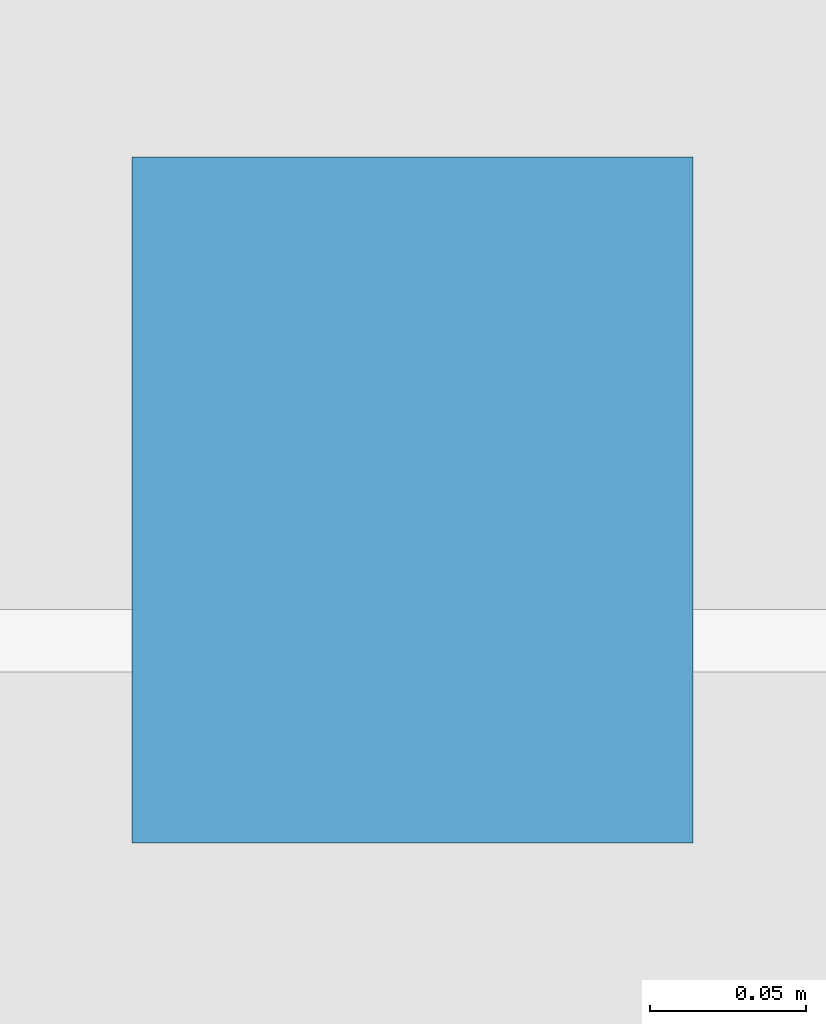
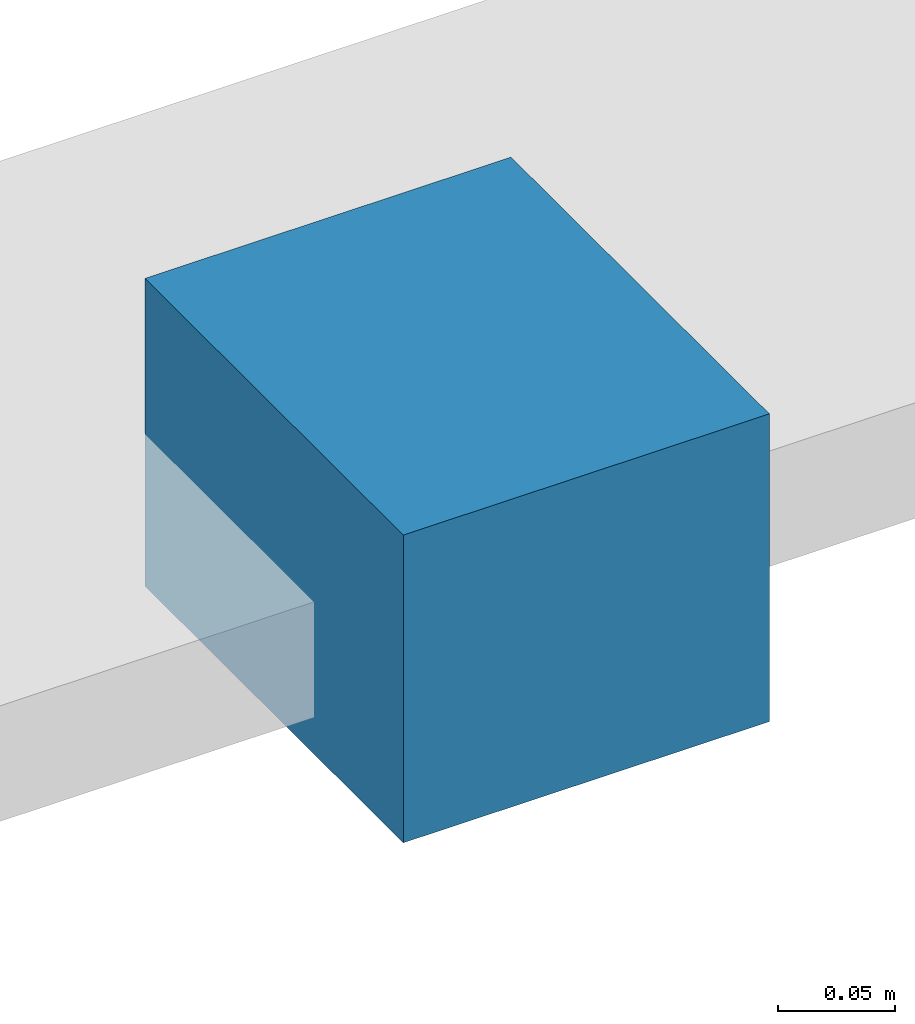
# One storey, part 142 of 157: 1 discrete accessory.
"""IFC4 building model written with IfcOpenShell, lengths in metres."""

import ifcopenshell
import ifcopenshell.guid

model = None  # the IFC model being written
_history = None  # IfcOwnerHistory: only IFC2X3 demands one
_inside = {}  # id of a spatial element -> (the spatial element, [elements in it])
_under = {}  # id of a project, library or spatial element -> (it, [spatial elements below it])
_declared = {}  # id of a project -> (the project, [libraries it declares])
_typed = {}  # id of a type object -> (the type object, [elements of that type])
_made_of = {}  # id of a material, layer set ... -> (it, [elements and type objects made of it])


def new_model(schema):
    """Start an empty IFC model of exactly this schema.

    Asked for "IFC4X3", IfcOpenShell would pick the latest addendum, in which some entities
    have other attributes; the version numbers below select the first issue.
    IFC2X3 requires an IfcOwnerHistory on every rooted entity: one is made here for all.
    """
    global model, _history
    if schema == "IFC4X3":
        model = ifcopenshell.file(schema_version=(4, 3, 0, 0))
    else:
        model = ifcopenshell.file(schema=schema)
    _inside.clear()
    _under.clear()
    _declared.clear()
    _typed.clear()
    _made_of.clear()
    _history = None
    if model.schema == "IFC2X3":
        org = make("IfcOrganization", Name="unknown")
        user = make(
            "IfcPersonAndOrganization",
            ThePerson=make("IfcPerson", FamilyName="unknown"),
            TheOrganization=org,
        )
        app = make(
            "IfcApplication",
            ApplicationDeveloper=org,
            Version="unknown",
            ApplicationFullName="unknown",
            ApplicationIdentifier="unknown",
        )
        _history = make(
            "IfcOwnerHistory",
            OwningUser=user,
            OwningApplication=app,
            ChangeAction="ADDED",
            CreationDate=0,
        )
    return model


def make(cls, **values):
    """One entity of the class cls with the attributes given. An attribute that is None is left unset."""
    return model.create_entity(
        cls, **{name: value for name, value in values.items() if value is not None}
    )


def rooted(cls, **values):
    """An entity with a GlobalId (a new one), such as an element, a storey or a relation."""
    return make(cls, GlobalId=ifcopenshell.guid.new(), OwnerHistory=_history, **values)


def si_unit(unit_type, name, prefix=None):
    """IfcSIUnit, for example si_unit("LENGTHUNIT", "METRE", prefix="MILLI")."""
    return make("IfcSIUnit", UnitType=unit_type, Prefix=prefix, Name=name)


def assignment(units):
    """IfcUnitAssignment: the units of a project."""
    return None if units is None else make("IfcUnitAssignment", Units=units)


def point(xyz):
    """IfcCartesianPoint."""
    return None if xyz is None else make("IfcCartesianPoint", Coordinates=xyz)


def direction(xyz):
    """IfcDirection."""
    return None if xyz is None else make("IfcDirection", DirectionRatios=xyz)


def frame(location, z_axis=None, x_axis=None):
    """IfcAxis2Placement3D, a coordinate frame: its origin and axes. An axis left out is left unset."""
    return make(
        "IfcAxis2Placement3D",
        Location=point(location),
        Axis=direction(z_axis),
        RefDirection=direction(x_axis),
    )


def frame_2d(location, x_axis=None):
    """IfcAxis2Placement2D, a coordinate frame in the plane: its origin and x axis."""
    return make(
        "IfcAxis2Placement2D", Location=point(location), RefDirection=direction(x_axis)
    )


def origin():
    """The frame at (0, 0, 0) with its axes left unset."""
    return frame((0.0, 0.0, 0.0))


def origin_2d():
    """The frame at (0, 0) in the plane with its x axis left unset."""
    return frame_2d((0.0, 0.0))


def place(relative_to, where):
    """IfcLocalPlacement: puts the frame where relative to a parent placement (None: the world)."""
    return make(
        "IfcLocalPlacement", PlacementRelTo=relative_to, RelativePlacement=where
    )


def context(
    kind, dimensions, precision=None, world=None, true_north=None, identifier=None
):
    """IfcGeometricRepresentationContext, for example the 3D "Model" context."""
    return make(
        "IfcGeometricRepresentationContext",
        ContextIdentifier=identifier,
        ContextType=kind,
        CoordinateSpaceDimension=dimensions,
        Precision=precision,
        WorldCoordinateSystem=world,
        TrueNorth=true_north,
    )


def subcontext(parent, identifier, kind, view, scale=None):
    """IfcGeometricRepresentationSubContext, for example "Body" below "Model"."""
    return make(
        "IfcGeometricRepresentationSubContext",
        ContextIdentifier=identifier,
        ContextType=kind,
        ParentContext=parent,
        TargetScale=scale,
        TargetView=view,
    )


def project(units=None, contexts=None):
    """IfcProject with its units and contexts."""
    return rooted(
        "IfcProject",
        Name="project",
        RepresentationContexts=contexts,
        UnitsInContext=assignment(units),
    )


def spatial(cls, under=None, at=None, **own):
    """A site, building, storey or space (cls), placed at a placement, below another one or the project."""
    s = rooted(cls, ObjectPlacement=at, **own)
    if under is not None:
        _under.setdefault(under.id(), (under, []))[1].append(s)
    return s


def profile(cls, at=None, kind="AREA", **sizes):
    """A parametric profile (cls). Its sizes go by their IFC names, for example OverallWidth=200.0."""
    return make(cls, ProfileType=kind, Position=at, **sizes)


def rectangle(**sizes):
    """IfcRectangleProfileDef."""
    return profile("IfcRectangleProfileDef", **sizes)


def extrude(swept, where, along, depth):
    """IfcExtrudedAreaSolid: the profile swept, set in the frame where, extruded along a direction by depth."""
    return make(
        "IfcExtrudedAreaSolid",
        SweptArea=swept,
        Position=where,
        ExtrudedDirection=direction(along),
        Depth=depth,
    )


def shape(context_of_items, identifier, shape_type, items):
    """IfcShapeRepresentation: the items that make up one representation, for example the "Body"."""
    return make(
        "IfcShapeRepresentation",
        ContextOfItems=context_of_items,
        RepresentationIdentifier=identifier,
        RepresentationType=shape_type,
        Items=items,
    )


def material(Name=None, Category=None):
    """IfcMaterial."""
    return make("IfcMaterial", Name=Name, Category=Category)


def made_of(thing, what):
    """Note that an element or type object is made of a material, layer set ...; save() writes the relation."""
    if what is not None:
        _made_of.setdefault(what.id(), (what, []))[1].append(thing)
    return thing


def type_object(cls, material=None, **own):
    """A type object (cls), such as IfcWallType, which elements share."""
    return made_of(rooted(cls, **own), material)


def element(
    cls,
    number,
    at=None,
    inside=None,
    cuts=None,
    type_object=None,
    material=None,
    context=None,
    identifier="Body",
    shape_type=None,
    held_by="IfcProductDefinitionShape",
    body=None,
    shapes=None,
    **own,
):
    """One element of the class cls, such as IfcWall. Its Tag is "e" and its number.

    at: its placement. inside: the storey or other place that contains it. cuts: it is an
    opening in that element (IfcRelVoidsElement). A single representation is given by context,
    identifier, shape_type and body (its items); several are given by shapes. held_by: the class
    of the entity that holds the representations. save() writes the other relations.
    """
    e = rooted(cls, Tag="e%d" % number, ObjectPlacement=at, **own)
    if body is not None:
        shapes = [shape(context, identifier, shape_type, body)]
    if shapes is not None:
        e.Representation = make(held_by, Representations=shapes)
    if inside is not None:
        _inside.setdefault(inside.id(), (inside, []))[1].append(e)
    if cuts is not None:
        rooted(
            "IfcRelVoidsElement", RelatingBuildingElement=cuts, RelatedOpeningElement=e
        )
    if type_object is not None:
        _typed.setdefault(type_object.id(), (type_object, []))[1].append(e)
    return made_of(e, material)


def aggregate(whole, parts):
    """IfcRelAggregates: a whole, such as a stair, and the parts it consists of."""
    return rooted("IfcRelAggregates", RelatingObject=whole, RelatedObjects=parts)


def save(model, path):
    """Write the relations noted so far, then the file.

    IfcRelAggregates (storeys below a building ...), IfcRelContainedInSpatialStructure (elements
    in a storey), IfcRelDefinesByType, IfcRelAssociatesMaterial and IfcRelDeclares: one each for
    every whole, place, type object, material and project.
    """
    for whole, parts in _under.values():
        aggregate(whole, parts)
    for where, things in _inside.values():
        rooted(
            "IfcRelContainedInSpatialStructure",
            RelatedElements=things,
            RelatingStructure=where,
        )
    for kind, things in _typed.values():
        rooted("IfcRelDefinesByType", RelatedObjects=things, RelatingType=kind)
    for what, things in _made_of.values():
        rooted("IfcRelAssociatesMaterial", RelatedObjects=things, RelatingMaterial=what)
    for by, libraries in _declared.values():
        rooted("IfcRelDeclares", RelatingContext=by, RelatedDefinitions=libraries)
    model.write(path)


model = new_model("IFC4")

# Units and contexts
model_context = context("Model", 3, precision=1e-05, world=origin(), true_north=direction((0.0, 1.0)))
body_context = subcontext(model_context, "Body", "Model", "MODEL_VIEW")
ifc_project = project(units=[si_unit("LENGTHUNIT", "METRE"), si_unit("AREAUNIT", "SQUARE_METRE"), si_unit("VOLUMEUNIT", "CUBIC_METRE"), si_unit("PLANEANGLEUNIT", "RADIAN"), si_unit("MASSUNIT", "GRAM", prefix="KILO")], contexts=[model_context])

# Site, building, storey
site_placement = place(None, origin())
site = spatial("IfcSite", under=ifc_project, at=site_placement, CompositionType="ELEMENT")
building_placement = place(site_placement, origin())
building = spatial("IfcBuilding", under=site, at=building_placement, Name="Suanplinth Sawtooth Commons", CompositionType="ELEMENT")
storey_placement = place(building_placement, frame((0.0, 0.0, 9.0)))
storey = spatial("IfcBuildingStorey", under=building, at=storey_placement, Name="L02", CompositionType="ELEMENT", Elevation=9.0)

# Discrete accessory
ifc_material = material(Name="Stainless steel Grade 316", Category="steel")
discrete_accessory_type = type_object("IfcDiscreteAccessoryType", Name="ACC-01", PredefinedType="BRACKET", material=ifc_material)
discrete_accessory_placement = place(storey_placement, frame((154.800048828125, 124.10009765625, 2.89990234375), z_axis=(0.0, 0.0, 1.0), x_axis=(1.0, 0.0, 0.0)))
element("IfcDiscreteAccessory", 1, at=discrete_accessory_placement, inside=storey, type_object=discrete_accessory_type, Name="Louvre Fixing Bracket L02-B-1", PredefinedType="BRACKET", context=body_context, shape_type="SweptSolid", body=[
    extrude(rectangle(XDim=0.179931640625, YDim=0.219970703125, at=origin_2d()), origin(), (0.0, 0.0, 1.0), 0.159912109375),
])

save(model, "model.ifc")
